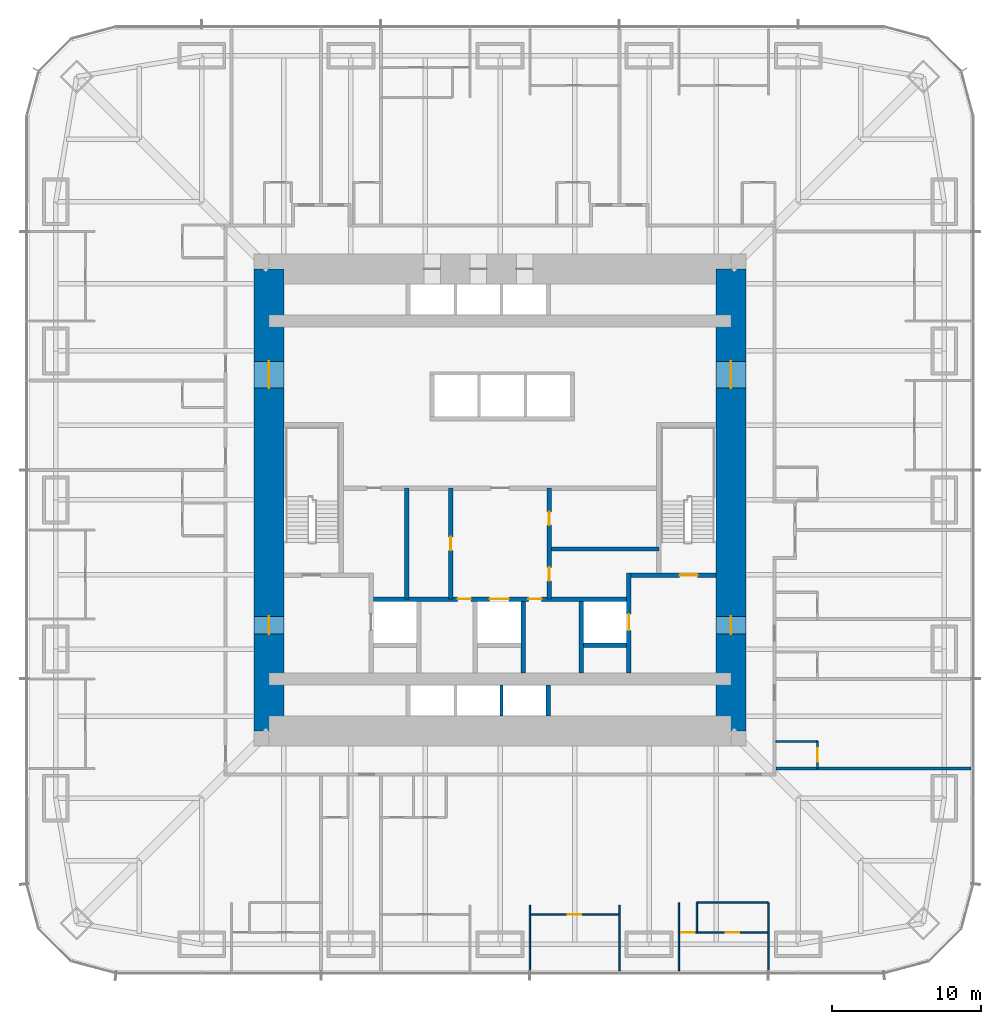
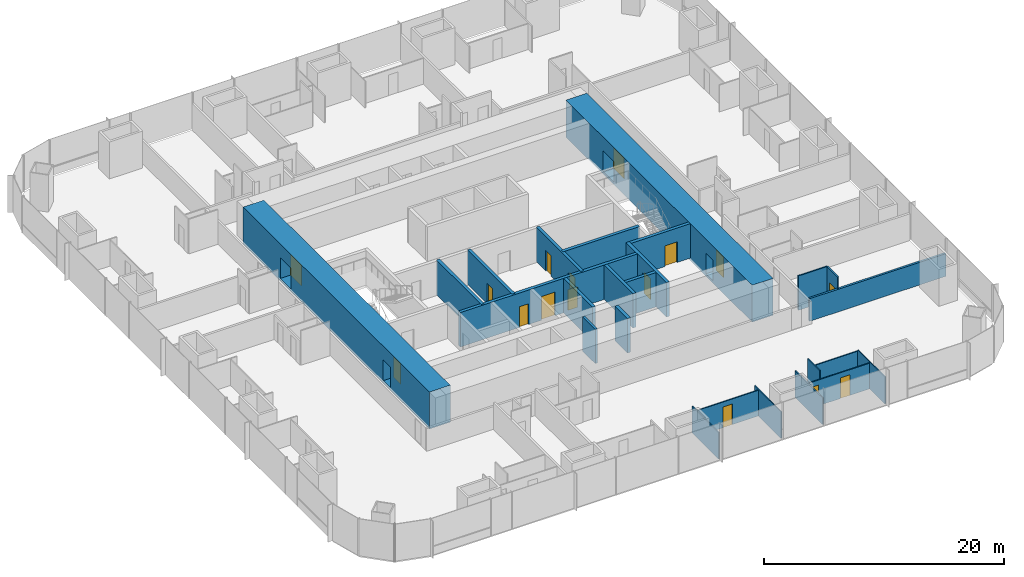
# One storey, part 13 of 17: 25 walls, 16 doors, 16 openings.
"""IFC4 building model written with IfcOpenShell, lengths in metres."""

from ifc_helpers import new_model, si_unit, direction, frame, frame_2d, origin, place, context, subcontext, project, spatial, rectangle, extrude, material, layer, layer_set, type_object, element, fill, save


model = new_model("IFC4")

# Units and contexts
model_context = context("Model", 3, precision=1e-05, world=origin(), true_north=direction((0.0, 1.0)))
body_context = subcontext(model_context, "Body", "Model", "MODEL_VIEW")
ifc_project = project(units=[si_unit("LENGTHUNIT", "METRE"), si_unit("AREAUNIT", "SQUARE_METRE"), si_unit("VOLUMEUNIT", "CUBIC_METRE"), si_unit("PLANEANGLEUNIT", "RADIAN"), si_unit("MASSUNIT", "GRAM", prefix="KILO")], contexts=[model_context])

# Site, building, storey
site_placement = place(None, origin())
site = spatial("IfcSite", under=ifc_project, at=site_placement, CompositionType="ELEMENT")
building_placement = place(site_placement, origin())
building = spatial("IfcBuilding", under=site, at=building_placement, Name="Khuree Lantern Residences", CompositionType="ELEMENT")
storey_placement = place(building_placement, frame((0.0, 0.0, 39.75)))
storey = spatial("IfcBuildingStorey", under=building, at=storey_placement, Name="L09", CompositionType="ELEMENT", Elevation=39.75)

# Wall, opening, door
ifc_material_1 = material(Name="Moisture-resistant gypsum board on steel studs", Category="steel")
ifc_layer_1 = layer(ifc_material_1, 0.125)
ifc_layer_set_1 = layer_set([ifc_layer_1], Name="BATHROOM WALL BTW125")
wall_type_1 = type_object("IfcWallType", Name="BATHROOM WALL BTW125", PredefinedType="PARTITIONING", material=ifc_layer_set_1)
wall_1_placement = place(storey_placement, frame((21.300048828125, -18.0, 0.0), z_axis=(0.0, 0.0, 1.0), x_axis=(0.0, 1.0, 0.0)))
wall_1 = element("IfcWall", 1, at=wall_1_placement, inside=storey, type_object=wall_type_1, Name="L09 BATHROOM WALL 12", PredefinedType="PARTITIONING", context=body_context, shape_type="SweptSolid", body=[
    extrude(rectangle(XDim=1.800048828125, YDim=0.125, at=frame_2d((0.89990234375, 0.0))), origin(), (0.0, 0.0, 1.0), 3.5),
])
opening_1_placement = place(wall_1_placement, frame((0.449951171875, 0.0, 0.0)))
opening_1 = element("IfcOpeningElement", 2, at=opening_1_placement, cuts=wall_1, Name="Opening 09-059", PredefinedType="OPENING", context=body_context, shape_type="SweptSolid", body=[
    extrude(rectangle(XDim=0.89990234375, YDim=2.10009765625, at=frame_2d((0.449951171875, 1.050048828125))), frame((0.0, 0.072509765625, 0.0), z_axis=(0.0, -1.0, 0.0), x_axis=(1.0, 0.0, 0.0)), (0.0, 0.0, 1.0), 0.14501953125),
])
ifc_material_2 = material(Name="Timber door leaf in hardwood frame", Category="wood")
door_type_1 = type_object("IfcDoorType", Name="BATHROOM DOOR 900X2100", OperationType="SINGLE_SWING_LEFT", PredefinedType="DOOR", material=ifc_material_2)
door_1_placement = place(opening_1_placement, origin())
door_1 = element("IfcDoor", 3, at=door_1_placement, inside=storey, type_object=door_type_1, Name="Bathroom door 09-059", OperationType="SINGLE_SWING_LEFT", OverallHeight=2.10009765625, OverallWidth=0.89990234375, PredefinedType="DOOR", context=body_context, shape_type="SweptSolid", body=[
    extrude(rectangle(XDim=0.89990234375, YDim=2.10009765625, at=frame_2d((0.449951171875, 1.050048828125))), frame((0.0, 0.02490234375, 0.0), z_axis=(0.0, -1.0, 0.0), x_axis=(1.0, 0.0, 0.0)), (0.0, 0.0, 1.0), 0.050048828125),
])
fill(opening_1, door_1)

# Wall
wall_2_placement = place(storey_placement, frame((18.5, -16.199951171875, 0.0), z_axis=(0.0, 0.0, 1.0), x_axis=(1.0, 0.0, 0.0)))
element("IfcWall", 4, at=wall_2_placement, inside=storey, type_object=wall_type_1, Name="L09 BATHROOM WALL 12", PredefinedType="PARTITIONING", context=body_context, shape_type="SweptSolid", body=[
    extrude(rectangle(XDim=2.800048828125, YDim=0.125, at=frame_2d((1.39990234375, 0.0))), origin(), (0.0, 0.0, 1.0), 3.5),
])

# Wall, opening, door
ifc_material_3 = material(Name="Dense concrete blockwork", Category="masonry")
ifc_layer_2 = layer(ifc_material_3, 0.300048828125)
ifc_layer_set_2 = layer_set([ifc_layer_2], Name="CORE PARTITION WALL CPW300 EI 120")
wall_type_2 = type_object("IfcWallType", Name="CORE PARTITION WALL CPW300 EI 120", PredefinedType="PARTITIONING", material=ifc_layer_set_2)
wall_3_placement = place(storey_placement, frame((8.64990234375, -11.60009765625, 0.0), z_axis=(0.0, 0.0, 1.0), x_axis=(0.0, 1.0, 0.0)))
wall_3 = element("IfcWall", 5, at=wall_3_placement, inside=storey, type_object=wall_type_2, Name="L09 CORE WALL FL2E", PredefinedType="PARTITIONING", context=body_context, shape_type="SweptSolid", body=[
    extrude(rectangle(XDim=6.7001953125, YDim=0.300048828125, at=frame_2d((3.35009765625, 0.0))), origin(), (0.0, 0.0, 1.0), 3.5),
])
opening_2_placement = place(wall_3_placement, frame((2.85009765625, 0.0, 0.0)))
opening_2 = element("IfcOpeningElement", 6, at=opening_2_placement, cuts=wall_3, Name="Opening 09-008", PredefinedType="OPENING", context=body_context, shape_type="SweptSolid", body=[
    extrude(rectangle(XDim=1.10009765625, YDim=2.10009765625, at=frame_2d((0.550048828125, 1.050048828125))), frame((0.0, 0.16015625, 0.0), z_axis=(0.0, -1.0, 0.0), x_axis=(1.0, 0.0, 0.0)), (0.0, 0.0, 1.0), 0.320068359375),
])
ifc_material_4 = material(Name="Stainless steel lift landing door", Category="steel")
door_type_2 = type_object("IfcDoorType", Name="LIFT LANDING DOOR 1100X2100 E 120", OperationType="DOUBLE_DOOR_SLIDING", PredefinedType="DOOR", material=ifc_material_4)
door_2_placement = place(opening_2_placement, origin())
door_2 = element("IfcDoor", 7, at=door_2_placement, inside=storey, type_object=door_type_2, Name="Landing door FL2 09-008", OperationType="DOUBLE_DOOR_SLIDING", OverallHeight=2.10009765625, OverallWidth=1.10009765625, PredefinedType="DOOR", context=body_context, shape_type="SweptSolid", body=[
    extrude(rectangle(XDim=1.10009765625, YDim=2.10009765625, at=frame_2d((0.550048828125, 1.050048828125))), frame((0.0, 0.02490234375, 0.0), z_axis=(0.0, -1.0, 0.0), x_axis=(1.0, 0.0, 0.0)), (0.0, 0.0, 1.0), 0.050048828125),
])
fill(opening_2, door_2)

# Wall, openings, doors
wall_4_placement = place(storey_placement, frame((-8.5, -6.64990234375, 0.0), z_axis=(0.0, 0.0, 1.0), x_axis=(1.0, 0.0, 0.0)))
wall_4 = element("IfcWall", 8, at=wall_4_placement, inside=storey, type_object=wall_type_2, Name="L09 CORE WALL FLROW", PredefinedType="PARTITIONING", context=body_context, shape_type="SweptSolid", body=[
    extrude(rectangle(XDim=17.0, YDim=0.300048828125, at=frame_2d((8.5, 0.0))), origin(), (0.0, 0.0, 1.0), 3.5),
])
opening_3_placement = place(wall_4_placement, frame((7.800048828125, 0.0, 0.0)))
opening_3 = element("IfcOpeningElement", 9, at=opening_3_placement, cuts=wall_4, Name="Opening 09-012", PredefinedType="OPENING", context=body_context, shape_type="SweptSolid", body=[
    extrude(rectangle(XDim=1.300048828125, YDim=2.39990234375, at=frame_2d((0.64990234375, 1.199951171875))), frame((0.0, 0.16015625, 0.0), z_axis=(0.0, -1.0, 0.0), x_axis=(1.0, 0.0, 0.0)), (0.0, 0.0, 1.0), 0.320068359375),
])
opening_4_placement = place(wall_4_placement, frame((5.64990234375, 0.0, 0.0)))
opening_4 = element("IfcOpeningElement", 10, at=opening_4_placement, cuts=wall_4, Name="Opening 09-014", PredefinedType="OPENING", context=body_context, shape_type="SweptSolid", body=[
    extrude(rectangle(XDim=0.89990234375, YDim=2.10009765625, at=frame_2d((0.449951171875, 1.050048828125))), frame((0.0, 0.16015625, 0.0), z_axis=(0.0, -1.0, 0.0), x_axis=(1.0, 0.0, 0.0)), (0.0, 0.0, 1.0), 0.320068359375),
])
opening_5_placement = place(wall_4_placement, frame((10.39990234375, 0.0, 0.0)))
opening_5 = element("IfcOpeningElement", 11, at=opening_5_placement, cuts=wall_4, Name="Opening 09-015", PredefinedType="OPENING", context=body_context, shape_type="SweptSolid", body=[
    extrude(rectangle(XDim=0.89990234375, YDim=2.10009765625, at=frame_2d((0.449951171875, 1.050048828125))), frame((0.0, 0.16015625, 0.0), z_axis=(0.0, -1.0, 0.0), x_axis=(1.0, 0.0, 0.0)), (0.0, 0.0, 1.0), 0.320068359375),
])
ifc_material_5 = material(Name="Steel door leaf in steel frame", Category="steel")
door_type_3 = type_object("IfcDoorType", Name="DOOR 900X2100 EI 60", OperationType="SINGLE_SWING_LEFT", PredefinedType="DOOR", material=ifc_material_5)
door_3_placement = place(opening_4_placement, origin())
door_3 = element("IfcDoor", 12, at=door_3_placement, inside=storey, type_object=door_type_3, Name="Refuse chute room door 09-014", OperationType="SINGLE_SWING_LEFT", OverallHeight=2.10009765625, OverallWidth=0.89990234375, PredefinedType="DOOR", context=body_context, shape_type="SweptSolid", body=[
    extrude(rectangle(XDim=0.89990234375, YDim=2.10009765625, at=frame_2d((0.449951171875, 1.050048828125))), frame((0.0, 0.02490234375, 0.0), z_axis=(0.0, -1.0, 0.0), x_axis=(1.0, 0.0, 0.0)), (0.0, 0.0, 1.0), 0.050048828125),
])
fill(opening_4, door_3)
door_type_4 = type_object("IfcDoorType", Name="DOOR 900X2100 EI 60 RIGHT HAND", OperationType="SINGLE_SWING_RIGHT", PredefinedType="DOOR", material=ifc_material_5)
door_4_placement = place(opening_5_placement, origin())
door_4 = element("IfcDoor", 13, at=door_4_placement, inside=storey, type_object=door_type_4, Name="Electrical and plumbing riser door 09-015", OperationType="SINGLE_SWING_RIGHT", OverallHeight=2.10009765625, OverallWidth=0.89990234375, PredefinedType="DOOR", context=body_context, shape_type="SweptSolid", body=[
    extrude(rectangle(XDim=0.89990234375, YDim=2.10009765625, at=frame_2d((0.449951171875, 1.050048828125))), frame((0.0, 0.02490234375, 0.0), z_axis=(0.0, -1.0, 0.0), x_axis=(1.0, 0.0, 0.0)), (0.0, 0.0, 1.0), 0.050048828125),
])
fill(opening_5, door_4)
door_type_5 = type_object("IfcDoorType", Name="LIFT LANDING DOOR 1300X2400 E 60", OperationType="DOUBLE_DOOR_SLIDING", PredefinedType="DOOR", material=ifc_material_4)
door_5_placement = place(opening_3_placement, origin())
door_5 = element("IfcDoor", 14, at=door_5_placement, inside=storey, type_object=door_type_5, Name="Landing door SL1 09-012", OperationType="DOUBLE_DOOR_SLIDING", OverallHeight=2.39990234375, OverallWidth=1.300048828125, PredefinedType="DOOR", context=body_context, shape_type="SweptSolid", body=[
    extrude(rectangle(XDim=1.300048828125, YDim=2.39990234375, at=frame_2d((0.64990234375, 1.199951171875))), frame((0.0, 0.02490234375, 0.0), z_axis=(0.0, -1.0, 0.0), x_axis=(1.0, 0.0, 0.0)), (0.0, 0.0, 1.0), 0.050048828125),
])
fill(opening_3, door_5)

# Walls
for number, where, z_axis, x_axis, name in (
    (15, (1.550048828125, -11.60009765625, 0.0), (0.0, 0.0, 1.0), (0.0, 1.0, 0.0), "L09 CORE WALL SL1E"),
    (16, (5.449951171875, -11.60009765625, 0.0), (0.0, 0.0, 1.0), (0.0, 1.0, 0.0), "L09 CORE WALL FL2W"),
):
    element("IfcWall", number, at=place(storey_placement, frame(where, z_axis=z_axis, x_axis=x_axis)), inside=storey, type_object=wall_type_2, Name=name, PredefinedType="PARTITIONING", context=body_context, shape_type="SweptSolid", body=[
        extrude(rectangle(XDim=4.800048828125, YDim=0.300048828125, at=frame_2d((2.39990234375, 0.0))), origin(), (0.0, 0.0, 1.0), 3.5),
    ])
wall_5_placement = place(storey_placement, frame((5.60009765625, -9.75, 0.0), z_axis=(0.0, 0.0, 1.0), x_axis=(1.0, 0.0, 0.0)))
element("IfcWall", 17, at=wall_5_placement, inside=storey, type_object=wall_type_2, Name="L09 CORE WALL FL2S", PredefinedType="PARTITIONING", context=body_context, shape_type="SweptSolid", body=[
    extrude(rectangle(XDim=2.89990234375, YDim=0.300048828125, at=frame_2d((1.449951171875, 0.0))), origin(), (0.0, 0.0, 1.0), 3.5),
])
wall_6_placement = place(storey_placement, frame((3.25, -14.5, 0.0), z_axis=(0.0, 0.0, 1.0), x_axis=(0.0, 1.0, 0.0)))
element("IfcWall", 18, at=wall_6_placement, inside=storey, type_object=wall_type_2, Name="L09 CORE WALL PME", PredefinedType="PARTITIONING", context=body_context, shape_type="SweptSolid", body=[
    extrude(rectangle(XDim=2.10009765625, YDim=0.300048828125, at=frame_2d((1.050048828125, 0.0))), origin(), (0.0, 0.0, 1.0), 3.5),
])

# Wall, opening, door
wall_7_placement = place(storey_placement, frame((-3.300048828125, -6.64990234375, 0.0), z_axis=(0.0, 0.0, 1.0), x_axis=(0.0, 1.0, 0.0)))
wall_7 = element("IfcWall", 19, at=wall_7_placement, inside=storey, type_object=wall_type_2, Name="L09 CORE WALL SVW", PredefinedType="PARTITIONING", context=body_context, shape_type="SweptSolid", body=[
    extrude(rectangle(XDim=7.449951171875, YDim=0.300048828125, at=frame_2d((3.72509765625, 0.0))), origin(), (0.0, 0.0, 1.0), 3.5),
])
opening_6_placement = place(wall_7_placement, frame((3.27490234375, 0.0, 0.0)))
opening_6 = element("IfcOpeningElement", 20, at=opening_6_placement, cuts=wall_7, Name="Opening 09-016", PredefinedType="OPENING", context=body_context, shape_type="SweptSolid", body=[
    extrude(rectangle(XDim=0.89990234375, YDim=2.10009765625, at=frame_2d((0.449951171875, 1.050048828125))), frame((0.0, 0.16015625, 0.0), z_axis=(0.0, -1.0, 0.0), x_axis=(1.0, 0.0, 0.0)), (0.0, 0.0, 1.0), 0.320068359375),
])
door_type_6 = type_object("IfcDoorType", Name="DOOR 900X2100", OperationType="SINGLE_SWING_LEFT", PredefinedType="DOOR", material=ifc_material_2)
door_6_placement = place(opening_6_placement, origin())
door_6 = element("IfcDoor", 21, at=door_6_placement, inside=storey, type_object=door_type_6, Name="Bulky waste store door 09-016", OperationType="SINGLE_SWING_LEFT", OverallHeight=2.10009765625, OverallWidth=0.89990234375, PredefinedType="DOOR", context=body_context, shape_type="SweptSolid", body=[
    extrude(rectangle(XDim=0.89990234375, YDim=2.10009765625, at=frame_2d((0.449951171875, 1.050048828125))), frame((0.0, 0.02490234375, 0.0), z_axis=(0.0, -1.0, 0.0), x_axis=(1.0, 0.0, 0.0)), (0.0, 0.0, 1.0), 0.050048828125),
])
fill(opening_6, door_6)

# Wall, openings, doors
wall_8_placement = place(storey_placement, frame((3.300048828125, -6.64990234375, 0.0), z_axis=(0.0, 0.0, 1.0), x_axis=(0.0, 1.0, 0.0)))
wall_8 = element("IfcWall", 22, at=wall_8_placement, inside=storey, type_object=wall_type_2, Name="L09 CORE WALL SVE", PredefinedType="PARTITIONING", context=body_context, shape_type="SweptSolid", body=[
    extrude(rectangle(XDim=7.449951171875, YDim=0.300048828125, at=frame_2d((3.72509765625, 0.0))), origin(), (0.0, 0.0, 1.0), 3.5),
])
opening_7_placement = place(wall_8_placement, frame((1.23095703125, 0.0, 0.0)))
opening_7 = element("IfcOpeningElement", 23, at=opening_7_placement, cuts=wall_8, Name="Opening 09-018", PredefinedType="OPENING", context=body_context, shape_type="SweptSolid", body=[
    extrude(rectangle(XDim=0.89990234375, YDim=2.10009765625, at=frame_2d((0.449951171875, 1.050048828125))), frame((0.0, 0.16015625, 0.0), z_axis=(0.0, -1.0, 0.0), x_axis=(1.0, 0.0, 0.0)), (0.0, 0.0, 1.0), 0.320068359375),
])
opening_8_placement = place(wall_8_placement, frame((4.9560546875, 0.0, 0.0)))
opening_8 = element("IfcOpeningElement", 24, at=opening_8_placement, cuts=wall_8, Name="Opening 09-019", PredefinedType="OPENING", context=body_context, shape_type="SweptSolid", body=[
    extrude(rectangle(XDim=0.89990234375, YDim=2.10009765625, at=frame_2d((0.449951171875, 1.050048828125))), frame((0.0, 0.16015625, 0.0), z_axis=(0.0, -1.0, 0.0), x_axis=(1.0, 0.0, 0.0)), (0.0, 0.0, 1.0), 0.320068359375),
])
door_7_placement = place(opening_7_placement, origin())
door_7 = element("IfcDoor", 25, at=door_7_placement, inside=storey, type_object=door_type_6, Name="Bulky waste store door 09-018", OperationType="SINGLE_SWING_LEFT", OverallHeight=2.10009765625, OverallWidth=0.89990234375, PredefinedType="DOOR", context=body_context, shape_type="SweptSolid", body=[
    extrude(rectangle(XDim=0.89990234375, YDim=2.10009765625, at=frame_2d((0.449951171875, 1.050048828125))), frame((0.0, 0.02490234375, 0.0), z_axis=(0.0, -1.0, 0.0), x_axis=(1.0, 0.0, 0.0)), (0.0, 0.0, 1.0), 0.050048828125),
])
fill(opening_7, door_7)
door_type_7 = type_object("IfcDoorType", Name="DOOR 900X2100 RIGHT HAND", OperationType="SINGLE_SWING_RIGHT", PredefinedType="DOOR", material=ifc_material_2)
door_8_placement = place(opening_8_placement, origin())
door_8 = element("IfcDoor", 26, at=door_8_placement, inside=storey, type_object=door_type_7, Name="Residents' store door 09-019", OperationType="SINGLE_SWING_RIGHT", OverallHeight=2.10009765625, OverallWidth=0.89990234375, PredefinedType="DOOR", context=body_context, shape_type="SweptSolid", body=[
    extrude(rectangle(XDim=0.89990234375, YDim=2.10009765625, at=frame_2d((0.449951171875, 1.050048828125))), frame((0.0, 0.02490234375, 0.0), z_axis=(0.0, -1.0, 0.0), x_axis=(1.0, 0.0, 0.0)), (0.0, 0.0, 1.0), 0.050048828125),
])
fill(opening_8, door_8)

# Walls
wall_9_placement = place(storey_placement, frame((-6.27001953125, -6.64990234375, 0.0), z_axis=(0.0, 0.0, 1.0), x_axis=(0.0, 1.0, 0.0)))
element("IfcWall", 27, at=wall_9_placement, inside=storey, type_object=wall_type_2, Name="L09 CORE WALL WV", PredefinedType="PARTITIONING", context=body_context, shape_type="SweptSolid", body=[
    extrude(rectangle(XDim=7.449951171875, YDim=0.300048828125, at=frame_2d((3.72509765625, 0.0))), origin(), (0.0, 0.0, 1.0), 3.5),
])
wall_10_placement = place(storey_placement, frame((10.64990234375, -3.2880859375, 0.0), z_axis=(0.0, 0.0, 1.0), x_axis=(-1.0, 0.0, 0.0)))
element("IfcWall", 28, at=wall_10_placement, inside=storey, type_object=wall_type_2, Name="L09 CORE WALL EX", PredefinedType="PARTITIONING", context=body_context, shape_type="SweptSolid", body=[
    extrude(rectangle(XDim=7.349853515625, YDim=0.300048828125, at=frame_2d((3.6748046875, 0.0))), origin(), (0.0, 0.0, 1.0), 3.5),
])

# Wall, openings, doors
ifc_material_6 = material(Name="Concrete C70/85", Category="concrete")
ifc_layer_3 = layer(ifc_material_6, 2.0)
ifc_layer_set_3 = layer_set([ifc_layer_3], Name="CW2000-C70 CORE WALL C70 2000")
wall_type_3 = type_object("IfcWallType", Name="CW2000-C70 CORE WALL C70 2000", PredefinedType="SHEAR", material=ifc_layer_set_3)
wall_11_placement = place(storey_placement, frame((15.5, -15.5, -0.25), z_axis=(0.0, 0.0, 1.0), x_axis=(0.0, 1.0, 0.0)))
wall_11 = element("IfcWall", 29, at=wall_11_placement, inside=storey, type_object=wall_type_3, Name="Core wall E", PredefinedType="SHEAR", context=body_context, shape_type="SweptSolid", body=[
    extrude(rectangle(XDim=31.0, YDim=2.0, at=frame_2d((15.5, 0.0))), origin(), (0.0, 0.0, 1.0), 3.75),
])
opening_9_placement = place(wall_11_placement, frame((6.5, 0.0, 0.25)))
opening_9 = element("IfcOpeningElement", 30, at=opening_9_placement, cuts=wall_11, Name="Opening 09-005", PredefinedType="OPENING", context=body_context, shape_type="SweptSolid", body=[
    extrude(rectangle(XDim=1.199951171875, YDim=2.10009765625, at=frame_2d((0.60009765625, 1.050048828125))), frame((0.0, 1.010009765625, 0.0), z_axis=(0.0, -1.0, 0.0), x_axis=(1.0, 0.0, 0.0)), (0.0, 0.0, 1.0), 2.02001953125),
])
opening_10_placement = place(wall_11_placement, frame((23.0, 0.0, 0.25)))
opening_10 = element("IfcOpeningElement", 31, at=opening_10_placement, cuts=wall_11, Name="Opening 09-006", PredefinedType="OPENING", context=body_context, shape_type="SweptSolid", body=[
    extrude(rectangle(XDim=1.800048828125, YDim=2.10009765625, at=frame_2d((0.89990234375, 1.050048828125))), frame((0.0, 1.010009765625, 0.0), z_axis=(0.0, -1.0, 0.0), x_axis=(1.0, 0.0, 0.0)), (0.0, 0.0, 1.0), 2.02001953125),
])
door_type_8 = type_object("IfcDoorType", Name="LOBBY DOOR 1200X2100 EI 120", OperationType="SINGLE_SWING_LEFT", PredefinedType="DOOR", material=ifc_material_5)
door_9_placement = place(opening_9_placement, origin())
door_9 = element("IfcDoor", 32, at=door_9_placement, inside=storey, type_object=door_type_8, Name="Firefighting lobby door 09-005", OperationType="SINGLE_SWING_LEFT", OverallHeight=2.10009765625, OverallWidth=1.199951171875, PredefinedType="DOOR", context=body_context, shape_type="SweptSolid", body=[
    extrude(rectangle(XDim=1.199951171875, YDim=2.10009765625, at=frame_2d((0.60009765625, 1.050048828125))), frame((0.0, 0.02490234375, 0.0), z_axis=(0.0, -1.0, 0.0), x_axis=(1.0, 0.0, 0.0)), (0.0, 0.0, 1.0), 0.050048828125),
])
fill(opening_9, door_9)
door_type_9 = type_object("IfcDoorType", Name="LOBBY DOUBLE DOOR 1800X2100 EI 60", OperationType="DOUBLE_DOOR_SINGLE_SWING", PredefinedType="DOOR", material=ifc_material_5)
door_10_placement = place(opening_10_placement, origin())
door_10 = element("IfcDoor", 33, at=door_10_placement, inside=storey, type_object=door_type_9, Name="Lift lobby door 09-006", OperationType="DOUBLE_DOOR_SINGLE_SWING", OverallHeight=2.10009765625, OverallWidth=1.800048828125, PredefinedType="DOOR", context=body_context, shape_type="SweptSolid", body=[
    extrude(rectangle(XDim=1.800048828125, YDim=2.10009765625, at=frame_2d((0.89990234375, 1.050048828125))), frame((0.0, 0.02490234375, 0.0), z_axis=(0.0, -1.0, 0.0), x_axis=(1.0, 0.0, 0.0)), (0.0, 0.0, 1.0), 0.050048828125),
])
fill(opening_10, door_10)

wall_12_placement = place(storey_placement, frame((-15.5, -15.5, -0.25), z_axis=(0.0, 0.0, 1.0), x_axis=(0.0, 1.0, 0.0)))
wall_12 = element("IfcWall", 34, at=wall_12_placement, inside=storey, type_object=wall_type_3, Name="Core wall W", PredefinedType="SHEAR", context=body_context, shape_type="SweptSolid", body=[
    extrude(rectangle(XDim=31.0, YDim=2.0, at=frame_2d((15.5, 0.0))), origin(), (0.0, 0.0, 1.0), 3.75),
])
opening_11_placement = place(wall_12_placement, frame((6.5, 0.0, 0.25)))
opening_11 = element("IfcOpeningElement", 35, at=opening_11_placement, cuts=wall_12, Name="Opening 09-002", PredefinedType="OPENING", context=body_context, shape_type="SweptSolid", body=[
    extrude(rectangle(XDim=1.199951171875, YDim=2.10009765625, at=frame_2d((0.60009765625, 1.050048828125))), frame((0.0, 1.010009765625, 0.0), z_axis=(0.0, -1.0, 0.0), x_axis=(1.0, 0.0, 0.0)), (0.0, 0.0, 1.0), 2.02001953125),
])
opening_12_placement = place(wall_12_placement, frame((23.0, 0.0, 0.25)))
opening_12 = element("IfcOpeningElement", 36, at=opening_12_placement, cuts=wall_12, Name="Opening 09-003", PredefinedType="OPENING", context=body_context, shape_type="SweptSolid", body=[
    extrude(rectangle(XDim=1.800048828125, YDim=2.10009765625, at=frame_2d((0.89990234375, 1.050048828125))), frame((0.0, 1.010009765625, 0.0), z_axis=(0.0, -1.0, 0.0), x_axis=(1.0, 0.0, 0.0)), (0.0, 0.0, 1.0), 2.02001953125),
])
door_11_placement = place(opening_11_placement, origin())
door_11 = element("IfcDoor", 37, at=door_11_placement, inside=storey, type_object=door_type_8, Name="Firefighting lobby door 09-002", OperationType="SINGLE_SWING_LEFT", OverallHeight=2.10009765625, OverallWidth=1.199951171875, PredefinedType="DOOR", context=body_context, shape_type="SweptSolid", body=[
    extrude(rectangle(XDim=1.199951171875, YDim=2.10009765625, at=frame_2d((0.60009765625, 1.050048828125))), frame((0.0, 0.02490234375, 0.0), z_axis=(0.0, -1.0, 0.0), x_axis=(1.0, 0.0, 0.0)), (0.0, 0.0, 1.0), 0.050048828125),
])
fill(opening_11, door_11)
door_12_placement = place(opening_12_placement, origin())
door_12 = element("IfcDoor", 38, at=door_12_placement, inside=storey, type_object=door_type_9, Name="Lift lobby door 09-003", OperationType="DOUBLE_DOOR_SINGLE_SWING", OverallHeight=2.10009765625, OverallWidth=1.800048828125, PredefinedType="DOOR", context=body_context, shape_type="SweptSolid", body=[
    extrude(rectangle(XDim=1.800048828125, YDim=2.10009765625, at=frame_2d((0.89990234375, 1.050048828125))), frame((0.0, 0.02490234375, 0.0), z_axis=(0.0, -1.0, 0.0), x_axis=(1.0, 0.0, 0.0)), (0.0, 0.0, 1.0), 0.050048828125),
])
fill(opening_12, door_12)

# Walls
ifc_material_7 = material(Name="Gypsum board on steel studs", Category="steel")
ifc_layer_4 = layer(ifc_material_7, 0.199951171875)
ifc_layer_set_4 = layer_set([ifc_layer_4], Name="DEMISING WALL DMW200 EI 90")
wall_type_4 = type_object("IfcWallType", Name="DEMISING WALL DMW200 EI 90", PredefinedType="PARTITIONING", material=ifc_layer_set_4)
wall_13_placement = place(storey_placement, frame((18.5, -18.0, 0.0), z_axis=(0.0, 0.0, 1.0), x_axis=(1.0, 0.0, 0.0)))
element("IfcWall", 39, at=wall_13_placement, inside=storey, type_object=wall_type_4, Name="L09 DEMISING WALL 12", PredefinedType="PARTITIONING", context=body_context, shape_type="SweptSolid", body=[
    extrude(rectangle(XDim=13.10009765625, YDim=0.199951171875, at=frame_2d((6.550048828125, 0.0))), origin(), (0.0, 0.0, 1.0), 2.300048828125),
])
ifc_layer_5 = layer(ifc_material_7, 0.10009765625)
ifc_layer_set_5 = layer_set([ifc_layer_5], Name="PARTITION PT100")
wall_type_5 = type_object("IfcWallType", Name="PARTITION PT100", PredefinedType="PARTITIONING", material=ifc_layer_set_5)
for number, where, z_axis, x_axis, name in (
    (40, (2.0, -27.199951171875, 0.0), (0.0, 0.0, 1.0), (0.0, -1.0, 0.0), "L09 PARTITION 11"),
    (41, (8.0, -27.199951171875, 0.0), (0.0, 0.0, 1.0), (0.0, -1.0, 0.0), "L09 PARTITION 11"),
):
    element("IfcWall", number, at=place(storey_placement, frame(where, z_axis=z_axis, x_axis=x_axis)), inside=storey, type_object=wall_type_5, Name=name, PredefinedType="PARTITIONING", context=body_context, shape_type="SweptSolid", body=[
        extrude(rectangle(XDim=4.400146484375, YDim=0.10009765625, at=frame_2d((2.2001953125, 0.0))), origin(), (0.0, 0.0, 1.0), 2.7099609375),
    ])
for number, where, z_axis, x_axis, name in (
    (42, (12.0, -27.0166015625, 0.0), (0.0, 0.0, 1.0), (0.0, -1.0, 0.0), "L09 PARTITION 11"),
    (43, (18.0, -27.0166015625, 0.0), (0.0, 0.0, 1.0), (0.0, -1.0, 0.0), "L09 PARTITION 11"),
):
    element("IfcWall", number, at=place(storey_placement, frame(where, z_axis=z_axis, x_axis=x_axis)), inside=storey, type_object=wall_type_5, Name=name, PredefinedType="PARTITIONING", context=body_context, shape_type="SweptSolid", body=[
        extrude(rectangle(XDim=4.58349609375, YDim=0.10009765625, at=frame_2d((2.291748046875, 0.0))), origin(), (0.0, 0.0, 1.0), 2.7099609375),
    ])

# Wall, opening, door
wall_14_placement = place(storey_placement, frame((2.0, -27.800048828125, 0.0), z_axis=(0.0, 0.0, 1.0), x_axis=(1.0, 0.0, 0.0)))
wall_14 = element("IfcWall", 44, at=wall_14_placement, inside=storey, type_object=wall_type_5, Name="L09 PARTITION 11", PredefinedType="PARTITIONING", context=body_context, shape_type="SweptSolid", body=[
    extrude(rectangle(XDim=6.0, YDim=0.10009765625, at=frame_2d((3.0, 0.0))), origin(), (0.0, 0.0, 1.0), 2.610107421875),
])
opening_13_placement = place(wall_14_placement, frame((2.550048828125, 0.0, 0.0)))
opening_13 = element("IfcOpeningElement", 45, at=opening_13_placement, cuts=wall_14, Name="Opening 09-053", PredefinedType="OPENING", context=body_context, shape_type="SweptSolid", body=[
    extrude(rectangle(XDim=0.89990234375, YDim=2.10009765625, at=frame_2d((0.449951171875, 1.050048828125))), frame((0.0, 0.06005859375, 0.0), z_axis=(0.0, -1.0, 0.0), x_axis=(1.0, 0.0, 0.0)), (0.0, 0.0, 1.0), 0.1201171875),
])
door_type_10 = type_object("IfcDoorType", Name="BEDROOM DOOR 900X2100", OperationType="SINGLE_SWING_LEFT", PredefinedType="DOOR", material=ifc_material_2)
door_13_placement = place(opening_13_placement, origin())
door_13 = element("IfcDoor", 46, at=door_13_placement, inside=storey, type_object=door_type_10, Name="Bedroom door 09-053", OperationType="SINGLE_SWING_LEFT", OverallHeight=2.10009765625, OverallWidth=0.89990234375, PredefinedType="DOOR", context=body_context, shape_type="SweptSolid", body=[
    extrude(rectangle(XDim=0.89990234375, YDim=2.10009765625, at=frame_2d((0.449951171875, 1.050048828125))), frame((0.0, 0.02490234375, 0.0), z_axis=(0.0, -1.0, 0.0), x_axis=(1.0, 0.0, 0.0)), (0.0, 0.0, 1.0), 0.050048828125),
])
fill(opening_13, door_13)

# Wall, openings, doors
wall_15_placement = place(storey_placement, frame((12.0, -29.0166015625, 0.0), z_axis=(0.0, 0.0, 1.0), x_axis=(1.0, 0.0, 0.0)))
wall_15 = element("IfcWall", 47, at=wall_15_placement, inside=storey, type_object=wall_type_5, Name="L09 PARTITION 11", PredefinedType="PARTITIONING", context=body_context, shape_type="SweptSolid", body=[
    extrude(rectangle(XDim=6.0, YDim=0.10009765625, at=frame_2d((3.0, 0.0))), origin(), (0.0, 0.0, 1.0), 2.610107421875),
])
opening_14_placement = place(wall_15_placement, frame((0.14990234375, 0.0, 0.0)))
opening_14 = element("IfcOpeningElement", 48, at=opening_14_placement, cuts=wall_15, Name="Opening 09-054", PredefinedType="OPENING", context=body_context, shape_type="SweptSolid", body=[
    extrude(rectangle(XDim=0.89990234375, YDim=2.10009765625, at=frame_2d((0.449951171875, 1.050048828125))), frame((0.0, 0.06005859375, 0.0), z_axis=(0.0, -1.0, 0.0), x_axis=(1.0, 0.0, 0.0)), (0.0, 0.0, 1.0), 0.1201171875),
])
opening_15_placement = place(wall_15_placement, frame((3.14990234375, 0.0, 0.0)))
opening_15 = element("IfcOpeningElement", 49, at=opening_15_placement, cuts=wall_15, Name="Opening 09-055", PredefinedType="OPENING", context=body_context, shape_type="SweptSolid", body=[
    extrude(rectangle(XDim=0.89990234375, YDim=2.10009765625, at=frame_2d((0.449951171875, 1.050048828125))), frame((0.0, 0.06005859375, 0.0), z_axis=(0.0, -1.0, 0.0), x_axis=(1.0, 0.0, 0.0)), (0.0, 0.0, 1.0), 0.1201171875),
])
door_14_placement = place(opening_14_placement, origin())
door_14 = element("IfcDoor", 50, at=door_14_placement, inside=storey, type_object=door_type_10, Name="Bedroom door 09-054", OperationType="SINGLE_SWING_LEFT", OverallHeight=2.10009765625, OverallWidth=0.89990234375, PredefinedType="DOOR", context=body_context, shape_type="SweptSolid", body=[
    extrude(rectangle(XDim=0.89990234375, YDim=2.10009765625, at=frame_2d((0.449951171875, 1.050048828125))), frame((0.0, 0.02490234375, 0.0), z_axis=(0.0, -1.0, 0.0), x_axis=(1.0, 0.0, 0.0)), (0.0, 0.0, 1.0), 0.050048828125),
])
fill(opening_14, door_14)
door_15_placement = place(opening_15_placement, origin())
door_15 = element("IfcDoor", 51, at=door_15_placement, inside=storey, type_object=door_type_6, Name="Wardrobe door 09-055", OperationType="SINGLE_SWING_LEFT", OverallHeight=2.10009765625, OverallWidth=0.89990234375, PredefinedType="DOOR", context=body_context, shape_type="SweptSolid", body=[
    extrude(rectangle(XDim=0.89990234375, YDim=2.10009765625, at=frame_2d((0.449951171875, 1.050048828125))), frame((0.0, 0.02490234375, 0.0), z_axis=(0.0, -1.0, 0.0), x_axis=(1.0, 0.0, 0.0)), (0.0, 0.0, 1.0), 0.050048828125),
])
fill(opening_15, door_15)

# Walls
wall_16_placement = place(storey_placement, frame((13.199951171875, -27.0166015625, 0.0), z_axis=(0.0, 0.0, 1.0), x_axis=(0.0, -1.0, 0.0)))
element("IfcWall", 52, at=wall_16_placement, inside=storey, type_object=wall_type_5, Name="L09 PARTITION 11", PredefinedType="PARTITIONING", context=body_context, shape_type="SweptSolid", body=[
    extrude(rectangle(XDim=2.0, YDim=0.10009765625, at=frame_2d((1.0, 0.0))), origin(), (0.0, 0.0, 1.0), 3.5),
])
wall_17_placement = place(storey_placement, frame((13.199951171875, -27.0166015625, 0.0), z_axis=(0.0, 0.0, 1.0), x_axis=(1.0, 0.0, 0.0)))
element("IfcWall", 53, at=wall_17_placement, inside=storey, type_object=wall_type_5, Name="L09 PARTITION 11", PredefinedType="PARTITIONING", context=body_context, shape_type="SweptSolid", body=[
    extrude(rectangle(XDim=4.800048828125, YDim=0.10009765625, at=frame_2d((2.39990234375, 0.0))), origin(), (0.0, 0.0, 1.0), 2.610107421875),
])
ifc_layer_6 = layer(ifc_material_3, 0.199951171875)
ifc_layer_set_6 = layer_set([ifc_layer_6], Name="SHAFT WALL SHW200 EI 120")
wall_type_6 = type_object("IfcWallType", Name="SHAFT WALL SHW200 EI 120", PredefinedType="PARTITIONING", material=ifc_layer_set_6)
wall_18_placement = place(storey_placement, frame((0.10009765625, -14.5, 0.0), z_axis=(0.0, 0.0, 1.0), x_axis=(0.0, 1.0, 0.0)))
element("IfcWall", 54, at=wall_18_placement, inside=storey, type_object=wall_type_6, Name="L09 CORE WALL PMD2", PredefinedType="PARTITIONING", context=body_context, shape_type="SweptSolid", body=[
    extrude(rectangle(XDim=2.10009765625, YDim=0.199951171875, at=frame_2d((1.050048828125, 0.0))), origin(), (0.0, 0.0, 1.0), 3.5),
])

# Wall, opening, door
ifc_material_8 = material(Name="Concrete C50/60", Category="concrete")
ifc_layer_7 = layer(ifc_material_8, 0.300048828125)
ifc_layer_set_7 = layer_set([ifc_layer_7], Name="STAIR WALL SRW300 C50/60 REI 240")
wall_type_7 = type_object("IfcWallType", Name="STAIR WALL SRW300 C50/60 REI 240", PredefinedType="SOLIDWALL", material=ifc_layer_set_7)
wall_19_placement = place(storey_placement, frame((14.5, -5.050048828125, 0.0), z_axis=(0.0, 0.0, 1.0), x_axis=(-1.0, 0.0, 0.0)))
wall_19 = element("IfcWall", 55, at=wall_19_placement, inside=storey, type_object=wall_type_7, Name="L09 STAIR WALL ST2S", PredefinedType="SOLIDWALL", context=body_context, shape_type="SweptSolid", body=[
    extrude(rectangle(XDim=5.699951171875, YDim=0.300048828125, at=frame_2d((2.85009765625, 0.0))), origin(), (0.0, 0.0, 1.0), 3.5),
])
opening_16_placement = place(wall_19_placement, frame((1.25, 0.0, 0.0)))
opening_16 = element("IfcOpeningElement", 56, at=opening_16_placement, cuts=wall_19, Name="Opening 09-004", PredefinedType="OPENING", context=body_context, shape_type="SweptSolid", body=[
    extrude(rectangle(XDim=1.199951171875, YDim=2.10009765625, at=frame_2d((0.60009765625, 1.050048828125))), frame((0.0, 0.16015625, 0.0), z_axis=(0.0, -1.0, 0.0), x_axis=(1.0, 0.0, 0.0)), (0.0, 0.0, 1.0), 0.320068359375),
])
door_type_11 = type_object("IfcDoorType", Name="STAIR DOOR 1200X2100 EI 120", OperationType="SINGLE_SWING_LEFT", PredefinedType="DOOR", material=ifc_material_5)
door_16_placement = place(opening_16_placement, origin())
door_16 = element("IfcDoor", 57, at=door_16_placement, inside=storey, type_object=door_type_11, Name="Stair ST2 door 09-004", OperationType="SINGLE_SWING_LEFT", OverallHeight=2.10009765625, OverallWidth=1.199951171875, PredefinedType="DOOR", context=body_context, shape_type="SweptSolid", body=[
    extrude(rectangle(XDim=1.199951171875, YDim=2.10009765625, at=frame_2d((0.60009765625, 1.050048828125))), frame((0.0, 0.02490234375, 0.0), z_axis=(0.0, -1.0, 0.0), x_axis=(1.0, 0.0, 0.0)), (0.0, 0.0, 1.0), 0.050048828125),
])
fill(opening_16, door_16)

save(model, "model.ifc")
